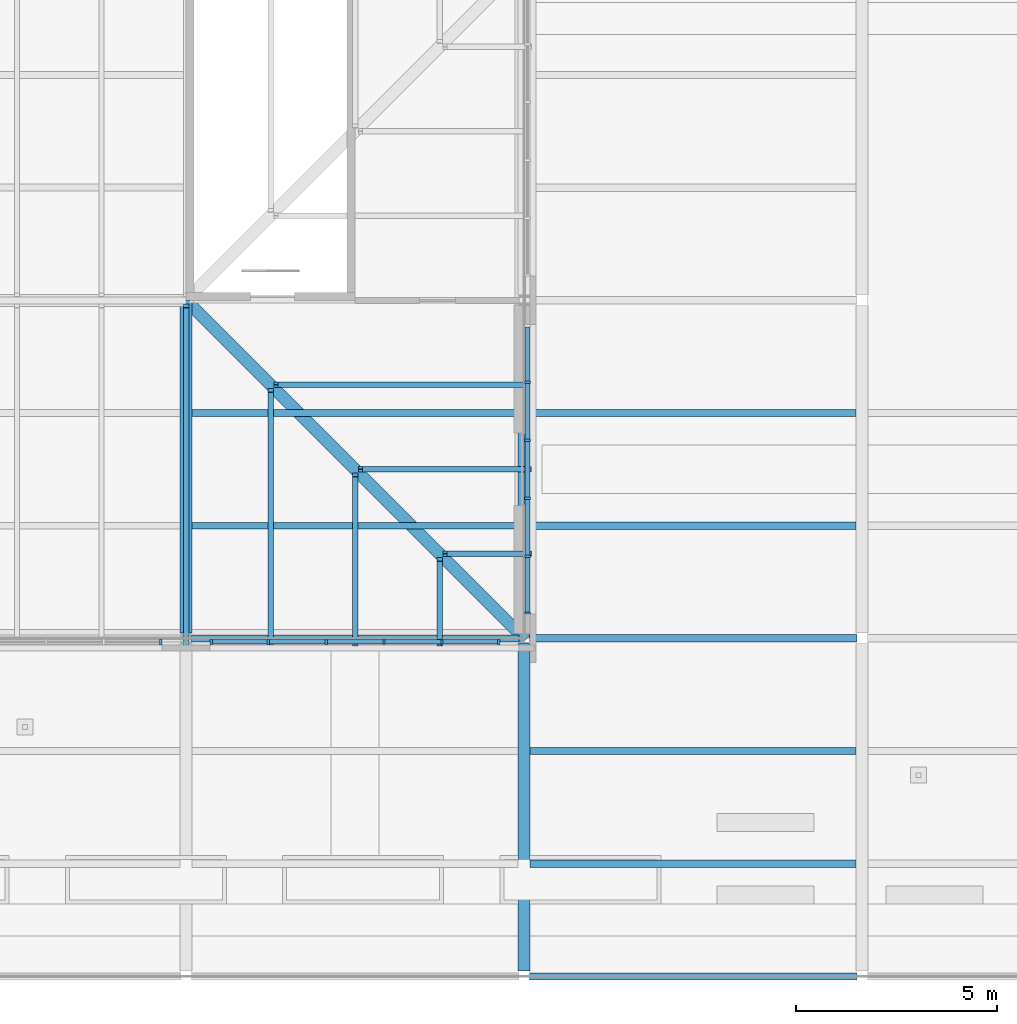
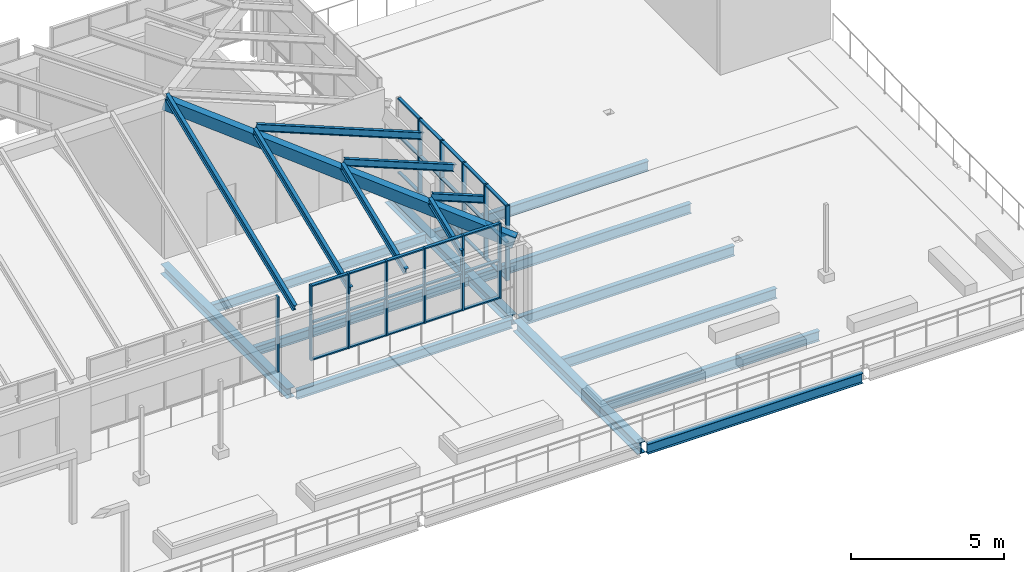
# One storey, part 9 of 126: 49 members, 13 beams, 3 elements without a shape of their own.
"""IFC4 building model written with IfcOpenShell, lengths in metres."""

from ifc_helpers import new_model, si_unit, direction, frame, origin, origin_2d, place, context, subcontext, project, spatial, polyline, rectangle, i_section, outline, extrude, material, material_profile, profile_set, type_object, element, aggregate, save


model = new_model("IFC4")

# Units and contexts
model_context = context("Model", 3, precision=1e-05, world=origin(), true_north=direction((0.0, 1.0)))
body_context = subcontext(model_context, "Body", "Model", "MODEL_VIEW")
ifc_project = project(units=[si_unit("LENGTHUNIT", "METRE"), si_unit("AREAUNIT", "SQUARE_METRE"), si_unit("VOLUMEUNIT", "CUBIC_METRE"), si_unit("PLANEANGLEUNIT", "RADIAN"), si_unit("MASSUNIT", "GRAM", prefix="KILO")], contexts=[model_context])

# Site, building, storey
site_placement = place(None, origin())
site = spatial("IfcSite", under=ifc_project, at=site_placement, CompositionType="ELEMENT")
building_placement = place(site_placement, origin())
building = spatial("IfcBuilding", under=site, at=building_placement, Name="Sava Quay Ferry Terminal", CompositionType="ELEMENT")
storey_placement = place(building_placement, frame((0.0, 0.0, 15.0)))
storey = spatial("IfcBuildingStorey", under=building, at=storey_placement, Name="L03", CompositionType="ELEMENT", Elevation=15.0)

# Beams
ifc_material_1 = material(Name="Steel S355", Category="steel")
ifc_material_profile_1 = material_profile(ifc_material_1, i_section(OverallWidth=0.169921875, OverallDepth=0.360107421875, WebThickness=0.008056640625, FlangeThickness=0.0126953125, at=origin_2d()), Name="IPE 360")
ifc_profile_set_1 = profile_set([ifc_material_profile_1], Name="Steel S355")
beam_type_1 = type_object("IfcBeamType", Name="Beam IPE 360", PredefinedType="BEAM", material=ifc_profile_set_1)
beam_1_placement = place(storey_placement, frame((16.929931640625, 33.60009765625, -0.330078125), z_axis=(1.0, 0.0, 0.0), x_axis=(0.0, 1.0, 0.0)))
element("IfcBeam", 1, at=beam_1_placement, inside=storey, type_object=beam_type_1, Name="Beam L03", PredefinedType="BEAM", context=body_context, shape_type="SweptSolid", body=[
    extrude(i_section(OverallWidth=0.169921875, OverallDepth=0.360107421875, WebThickness=0.008056640625, FlangeThickness=0.0126953125, at=origin_2d()), origin(), (0.0, 0.0, 1.0), 8.14013671875),
])
for number, where, z_axis, x_axis, name in (
    (2, (16.949951171875, 36.39990234375, -0.31005859375), (1.0, 0.0, 0.0), (0.0, 1.0, 0.0), "Secondary beam L03"),
    (3, (16.949951171875, 39.199951171875, -0.31005859375), (1.0, 0.0, 0.0), (0.0, 1.0, 0.0), "Secondary beam L03"),
):
    element("IfcBeam", number, at=place(storey_placement, frame(where, z_axis=z_axis, x_axis=x_axis)), inside=storey, type_object=beam_type_1, Name=name, PredefinedType="BEAM", context=body_context, shape_type="SweptSolid", body=[
        extrude(i_section(OverallWidth=0.169921875, OverallDepth=0.360107421875, WebThickness=0.008056640625, FlangeThickness=0.0126953125, at=origin_2d()), origin(), (0.0, 0.0, 1.0), 8.10009765625),
    ])
ifc_material_2 = material(Name="Steel S355", Category="steel")
ifc_material_profile_2 = material_profile(ifc_material_2, i_section(OverallWidth=0.179931640625, OverallDepth=0.39990234375, WebThickness=0.008544921875, FlangeThickness=0.013427734375, at=origin_2d()), Name="IPE 400")
ifc_profile_set_2 = profile_set([ifc_material_profile_2], Name="Steel S355")
beam_type_2 = type_object("IfcBeamType", Name="Beam IPE 400", PredefinedType="BEAM", material=ifc_profile_set_2)
for number, where, z_axis, x_axis, name in (
    (4, (25.330078125, 25.199951171875, -0.35009765625), (1.0, 0.0, 0.0), (0.0, 1.0, 0.0), "Beam L03"),
    (5, (25.330078125, 33.60009765625, -0.35009765625), (1.0, 0.0, 0.0), (0.0, 1.0, 0.0), "Beam L03"),
):
    element("IfcBeam", number, at=place(storey_placement, frame(where, z_axis=z_axis, x_axis=x_axis)), inside=storey, type_object=beam_type_2, Name=name, PredefinedType="BEAM", context=body_context, shape_type="SweptSolid", body=[
        extrude(i_section(OverallWidth=0.179931640625, OverallDepth=0.39990234375, WebThickness=0.008544921875, FlangeThickness=0.013427734375, at=origin_2d()), origin(), (0.0, 0.0, 1.0), 8.139892578125),
    ])
for number, where, z_axis, x_axis, name in (
    (6, (25.35009765625, 28.0, -0.35009765625), (1.0, 0.0, 0.0), (0.0, 1.0, 0.0), "Secondary beam L03"),
    (7, (25.35009765625, 30.800048828125, -0.35009765625), (1.0, 0.0, 0.0), (0.0, 1.0, 0.0), "Secondary beam L03"),
    (8, (25.35009765625, 36.39990234375, -0.35009765625), (1.0, 0.0, 0.0), (0.0, 1.0, 0.0), "Secondary beam L03"),
    (9, (25.35009765625, 39.199951171875, -0.35009765625), (1.0, 0.0, 0.0), (0.0, 1.0, 0.0), "Secondary beam L03"),
):
    element("IfcBeam", number, at=place(storey_placement, frame(where, z_axis=z_axis, x_axis=x_axis)), inside=storey, type_object=beam_type_2, Name=name, PredefinedType="BEAM", context=body_context, shape_type="SweptSolid", body=[
        extrude(i_section(OverallWidth=0.179931640625, OverallDepth=0.39990234375, WebThickness=0.008544921875, FlangeThickness=0.013427734375, at=origin_2d()), origin(), (0.0, 0.0, 1.0), 8.099853515625),
    ])
ifc_material_3 = material(Name="Steel S355", Category="steel")
ifc_material_profile_3 = material_profile(ifc_material_3, outline(polyline([(-0.14990234375, -0.228515625), (0.14990234375, -0.228515625), (0.14990234375, 0.228515625), (-0.14990234375, 0.228515625), (-0.14990234375, -0.228515625)]), holes=[polyline([(-0.1298828125, -0.20849609375), (-0.1298828125, 0.20849609375), (0.1298828125, 0.20849609375), (0.1298828125, -0.20849609375), (-0.1298828125, -0.20849609375)])]), Name="Box 457x300x20 built-up")
ifc_profile_set_3 = profile_set([ifc_material_profile_3], Name="Steel S355")
beam_type_3 = type_object("IfcBeamType", Name="Fascia beam Box 457x300x20", PredefinedType="BEAM", material=ifc_profile_set_3)
beam_2_placement = place(storey_placement, frame((25.199951171875, 33.60009765625, 2.89990234375), z_axis=(-0.679904249952, 0.679904249952, 0.274700603923), x_axis=(-0.707106781187, -0.707106781187, 0.0)))
element("IfcBeam", 10, at=beam_2_placement, inside=storey, type_object=beam_type_3, Name="West pavilion hip fascia beam HI3", PredefinedType="BEAM", context=body_context, shape_type="SweptSolid", body=[
    extrude(outline(polyline([(-0.14990234375, -0.228515625), (0.14990234375, -0.228515625), (0.14990234375, 0.228515625), (-0.14990234375, 0.228515625), (-0.14990234375, -0.228515625)]), holes=[polyline([(-0.1298828125, -0.20849609375), (-0.1298828125, 0.20849609375), (0.1298828125, 0.20849609375), (0.1298828125, -0.20849609375), (-0.1298828125, -0.20849609375)])]), origin(), (0.0, 0.0, 1.0), 12.3544921875),
])
ifc_material_4 = material(Name="Steel S355", Category="steel")
ifc_material_profile_4 = material_profile(ifc_material_4, i_section(OverallWidth=0.300048828125, OverallDepth=0.389892578125, WebThickness=0.010986328125, FlangeThickness=0.01904296875, at=origin_2d()), Name="HE 400 A")
ifc_profile_set_4 = profile_set([ifc_material_profile_4], Name="Steel S355")
beam_type_4 = type_object("IfcBeamType", Name="Girder HE 400 A", PredefinedType="BEAM", material=ifc_profile_set_4)
beam_3_placement = place(storey_placement, frame((16.800048828125, 33.72998046875, -0.324951171875), z_axis=(0.0, 1.0, 0.0), x_axis=(-1.0, 0.0, 0.0)))
element("IfcBeam", 11, at=beam_3_placement, inside=storey, type_object=beam_type_4, Name="Girder L03", PredefinedType="BEAM", context=body_context, shape_type="SweptSolid", body=[
    extrude(i_section(OverallWidth=0.300048828125, OverallDepth=0.389892578125, WebThickness=0.010986328125, FlangeThickness=0.01904296875, at=origin_2d()), origin(), (0.0, 0.0, 1.0), 8.27001953125),
])
beam_4_placement = place(storey_placement, frame((25.199951171875, 33.72998046875, -0.344970703125), z_axis=(0.0, 1.0, 0.0), x_axis=(-1.0, 0.0, 0.0)))
element("IfcBeam", 12, at=beam_4_placement, inside=storey, type_object=beam_type_4, Name="Girder L03", PredefinedType="BEAM", context=body_context, shape_type="SweptSolid", body=[
    extrude(i_section(OverallWidth=0.300048828125, OverallDepth=0.389892578125, WebThickness=0.010986328125, FlangeThickness=0.01904296875, at=origin_2d()), origin(), (0.0, 0.0, 1.0), 8.14013671875),
])
ifc_material_5 = material(Name="Steel S355", Category="steel")
ifc_material_profile_5 = material_profile(ifc_material_5, i_section(OverallWidth=0.300048828125, OverallDepth=0.449951171875, WebThickness=0.013916015625, FlangeThickness=0.02587890625, at=origin_2d()), Name="HE 450 B")
ifc_profile_set_5 = profile_set([ifc_material_profile_5], Name="Steel S355")
beam_type_5 = type_object("IfcBeamType", Name="Girder HE 450 B", PredefinedType="BEAM", material=ifc_profile_set_5)
beam_5_placement = place(storey_placement, frame((25.199951171875, 25.330078125, -0.375), z_axis=(0.0, 1.0, 0.0), x_axis=(-1.0, 0.0, 0.0)))
element("IfcBeam", 13, at=beam_5_placement, inside=storey, type_object=beam_type_5, Name="Girder L03", PredefinedType="BEAM", context=body_context, shape_type="SweptSolid", body=[
    extrude(i_section(OverallWidth=0.300048828125, OverallDepth=0.449951171875, WebThickness=0.013916015625, FlangeThickness=0.02587890625, at=origin_2d()), origin(), (0.0, 0.0, 1.0), 8.139892578125),
])

# Curtain wall, members
ifc_material_6 = material(Name="Aluminium and glass curtain wall, double low-e glazed", Category="aluminium")
curtain_wall_type = type_object("IfcCurtainWallType", Name="Curtain wall CW-F flank", PredefinedType="NOTDEFINED", material=ifc_material_6)
curtain_wall_1_placement = place(storey_placement, origin())
curtain_wall_1 = element("IfcCurtainWall", 14, at=curtain_wall_1_placement, inside=storey, type_object=curtain_wall_type, Name="Curtain wall W-PAV-E L03 bay 1", PredefinedType="NOTDEFINED")
ifc_material_7 = material(Name="Aluminium EN AW-6063 T6", Category="aluminium")
ifc_material_profile_6 = material_profile(ifc_material_7, rectangle(XDim=0.14990234375, YDim=0.06005859375, at=origin_2d()), Name="Mullion 60x150 aluminium")
ifc_profile_set_6 = profile_set([ifc_material_profile_6], Name="Aluminium EN AW-6063 T6")
member_type_1 = type_object("IfcMemberType", Name="Mullion 60x150 aluminium", PredefinedType="MULLION", material=ifc_profile_set_6)
member_1_placement = place(storey_placement, frame((25.284912109375, 34.22998046875, 0.89990234375), z_axis=(0.0, 0.0, 1.0), x_axis=(-1.0, 0.0, 0.0)))
member_1 = element("IfcMember", 15, at=member_1_placement, type_object=member_type_1, Name="CW121 mullion 1", PredefinedType="MULLION", context=body_context, shape_type="SweptSolid", body=[
    extrude(rectangle(XDim=0.14990234375, YDim=0.06005859375, at=origin_2d()), origin(), (0.0, 0.0, 1.0), 3.0),
])
member_2_placement = place(storey_placement, frame((25.284912109375, 35.639892578125, 0.89990234375), z_axis=(0.0, 0.0, 1.0), x_axis=(-1.0, 0.0, 0.0)))
member_2 = element("IfcMember", 16, at=member_2_placement, type_object=member_type_1, Name="CW121 mullion 2", PredefinedType="MULLION", context=body_context, shape_type="SweptSolid", body=[
    extrude(rectangle(XDim=0.14990234375, YDim=0.06005859375, at=origin_2d()), origin(), (0.0, 0.0, 1.0), 3.0),
])
member_3_placement = place(storey_placement, frame((25.284912109375, 37.080078125, 0.89990234375), z_axis=(0.0, 0.0, 1.0), x_axis=(-1.0, 0.0, 0.0)))
member_3 = element("IfcMember", 17, at=member_3_placement, type_object=member_type_1, Name="CW121 mullion 3", PredefinedType="MULLION", context=body_context, shape_type="SweptSolid", body=[
    extrude(rectangle(XDim=0.14990234375, YDim=0.06005859375, at=origin_2d()), origin(), (0.0, 0.0, 1.0), 3.0),
])
member_4_placement = place(storey_placement, frame((25.284912109375, 38.52001953125, 0.89990234375), z_axis=(0.0, 0.0, 1.0), x_axis=(-1.0, 0.0, 0.0)))
member_4 = element("IfcMember", 18, at=member_4_placement, type_object=member_type_1, Name="CW121 mullion 4", PredefinedType="MULLION", context=body_context, shape_type="SweptSolid", body=[
    extrude(rectangle(XDim=0.14990234375, YDim=0.06005859375, at=origin_2d()), origin(), (0.0, 0.0, 1.0), 3.0),
])
member_5_placement = place(storey_placement, frame((25.284912109375, 39.9599609375, 0.89990234375), z_axis=(0.0, 0.0, 1.0), x_axis=(-1.0, 0.0, 0.0)))
member_5 = element("IfcMember", 19, at=member_5_placement, type_object=member_type_1, Name="CW121 mullion 5", PredefinedType="MULLION", context=body_context, shape_type="SweptSolid", body=[
    extrude(rectangle(XDim=0.14990234375, YDim=0.06005859375, at=origin_2d()), origin(), (0.0, 0.0, 1.0), 3.0),
])

# Curtain wall, member
curtain_wall_2_placement = place(storey_placement, origin())
curtain_wall_2 = element("IfcCurtainWall", 20, at=curtain_wall_2_placement, inside=storey, type_object=curtain_wall_type, Name="Curtain wall W-PAV-S L03 bay 2", PredefinedType="NOTDEFINED")
member_6_placement = place(storey_placement, frame((16.169921875, 33.514892578125, 0.89990234375), z_axis=(0.0, 0.0, 1.0), x_axis=(0.0, 1.0, 0.0)))
member_6 = element("IfcMember", 21, at=member_6_placement, type_object=member_type_1, Name="CW127 mullion 6", PredefinedType="MULLION", context=body_context, shape_type="SweptSolid", body=[
    extrude(rectangle(XDim=0.14990234375, YDim=0.06005859375, at=origin_2d()), origin(), (0.0, 0.0, 1.0), 3.0),
])
aggregate(curtain_wall_2, [member_6])

# Curtain wall, members
curtain_wall_3_placement = place(storey_placement, origin())
curtain_wall_3 = element("IfcCurtainWall", 22, at=curtain_wall_3_placement, inside=storey, type_object=curtain_wall_type, Name="Curtain wall W-PAV-S L03 bay 3", PredefinedType="NOTDEFINED")
member_7_placement = place(storey_placement, frame((17.429931640625, 33.514892578125, 0.89990234375), z_axis=(0.0, 0.0, 1.0), x_axis=(0.0, 1.0, 0.0)))
member_7 = element("IfcMember", 23, at=member_7_placement, type_object=member_type_1, Name="CW128 mullion 1", PredefinedType="MULLION", context=body_context, shape_type="SweptSolid", body=[
    extrude(rectangle(XDim=0.14990234375, YDim=0.06005859375, at=origin_2d()), origin(), (0.0, 0.0, 1.0), 3.0),
])
member_8_placement = place(storey_placement, frame((18.840087890625, 33.514892578125, 0.89990234375), z_axis=(0.0, 0.0, 1.0), x_axis=(0.0, 1.0, 0.0)))
member_8 = element("IfcMember", 24, at=member_8_placement, type_object=member_type_1, Name="CW128 mullion 2", PredefinedType="MULLION", context=body_context, shape_type="SweptSolid", body=[
    extrude(rectangle(XDim=0.14990234375, YDim=0.06005859375, at=origin_2d()), origin(), (0.0, 0.0, 1.0), 3.0),
])
member_9_placement = place(storey_placement, frame((20.280029296875, 33.514892578125, 0.89990234375), z_axis=(0.0, 0.0, 1.0), x_axis=(0.0, 1.0, 0.0)))
member_9 = element("IfcMember", 25, at=member_9_placement, type_object=member_type_1, Name="CW128 mullion 3", PredefinedType="MULLION", context=body_context, shape_type="SweptSolid", body=[
    extrude(rectangle(XDim=0.14990234375, YDim=0.06005859375, at=origin_2d()), origin(), (0.0, 0.0, 1.0), 3.0),
])
member_10_placement = place(storey_placement, frame((21.719970703125, 33.514892578125, 0.89990234375), z_axis=(0.0, 0.0, 1.0), x_axis=(0.0, 1.0, 0.0)))
member_10 = element("IfcMember", 26, at=member_10_placement, type_object=member_type_1, Name="CW128 mullion 4", PredefinedType="MULLION", context=body_context, shape_type="SweptSolid", body=[
    extrude(rectangle(XDim=0.14990234375, YDim=0.06005859375, at=origin_2d()), origin(), (0.0, 0.0, 1.0), 3.0),
])
member_11_placement = place(storey_placement, frame((23.159912109375, 33.514892578125, 0.89990234375), z_axis=(0.0, 0.0, 1.0), x_axis=(0.0, 1.0, 0.0)))
member_11 = element("IfcMember", 27, at=member_11_placement, type_object=member_type_1, Name="CW128 mullion 5", PredefinedType="MULLION", context=body_context, shape_type="SweptSolid", body=[
    extrude(rectangle(XDim=0.14990234375, YDim=0.06005859375, at=origin_2d()), origin(), (0.0, 0.0, 1.0), 3.0),
])
member_12_placement = place(storey_placement, frame((24.570068359375, 33.514892578125, 0.89990234375), z_axis=(0.0, 0.0, 1.0), x_axis=(0.0, 1.0, 0.0)))
member_12 = element("IfcMember", 28, at=member_12_placement, type_object=member_type_1, Name="CW128 mullion 6", PredefinedType="MULLION", context=body_context, shape_type="SweptSolid", body=[
    extrude(rectangle(XDim=0.14990234375, YDim=0.06005859375, at=origin_2d()), origin(), (0.0, 0.0, 1.0), 3.0),
])

# Members
ifc_material_8 = material(Name="Steel S355", Category="steel")
ifc_material_profile_7 = material_profile(ifc_material_8, i_section(OverallWidth=0.135009765625, OverallDepth=0.27001953125, WebThickness=0.006591796875, FlangeThickness=0.01025390625, at=origin_2d()), Name="IPE 270")
ifc_profile_set_7 = profile_set([ifc_material_profile_7], Name="Steel S355")
member_type_2 = type_object("IfcMemberType", Name="Roof rafter IPE 270", PredefinedType="RAFTER", material=ifc_profile_set_7)
member_13_placement = place(storey_placement, frame((16.800048828125, 33.4638671875, 3.237060546875), z_axis=(0.0, 0.927183164982, 0.374608300192), x_axis=(-1.0, 0.0, 0.0)))
element("IfcMember", 29, at=member_13_placement, inside=storey, type_object=member_type_2, Name="West pavilion rafter RA8", PredefinedType="RAFTER", context=body_context, shape_type="SweptSolid", body=[
    extrude(i_section(OverallWidth=0.135009765625, OverallDepth=0.27001953125, WebThickness=0.006591796875, FlangeThickness=0.01025390625, at=origin_2d()), origin(), (0.0, 0.0, 1.0), 9.0595703125),
])
member_14_placement = place(storey_placement, frame((18.89990234375, 33.4638671875, 3.237060546875), z_axis=(0.0, 0.927182566132, 0.374609782387), x_axis=(-1.0, 0.0, 0.0)))
element("IfcMember", 30, at=member_14_placement, inside=storey, type_object=member_type_2, Name="West pavilion rafter RA9", PredefinedType="RAFTER", context=body_context, shape_type="SweptSolid", body=[
    extrude(i_section(OverallWidth=0.135009765625, OverallDepth=0.27001953125, WebThickness=0.006591796875, FlangeThickness=0.01025390625, at=origin_2d()), origin(), (0.0, 0.0, 1.0), 6.794921875),
])
member_15_placement = place(storey_placement, frame((21.0, 33.4638671875, 3.237060546875), z_axis=(0.0, 0.927192524754, 0.374585133235), x_axis=(-1.0, 0.0, 0.0)))
element("IfcMember", 31, at=member_15_placement, inside=storey, type_object=member_type_2, Name="West pavilion rafter RA10", PredefinedType="RAFTER", context=body_context, shape_type="SweptSolid", body=[
    extrude(i_section(OverallWidth=0.135009765625, OverallDepth=0.27001953125, WebThickness=0.006591796875, FlangeThickness=0.01025390625, at=origin_2d()), origin(), (0.0, 0.0, 1.0), 4.52978515625),
])
member_16_placement = place(storey_placement, frame((23.10009765625, 33.4638671875, 3.237060546875), z_axis=(0.0, 0.927184961662, 0.374603853247), x_axis=(-1.0, 0.0, 0.0)))
element("IfcMember", 32, at=member_16_placement, inside=storey, type_object=member_type_2, Name="West pavilion rafter RA11", PredefinedType="RAFTER", context=body_context, shape_type="SweptSolid", body=[
    extrude(i_section(OverallWidth=0.135009765625, OverallDepth=0.27001953125, WebThickness=0.006591796875, FlangeThickness=0.01025390625, at=origin_2d()), origin(), (0.0, 0.0, 1.0), 2.2646484375),
])
member_17_placement = place(storey_placement, frame((25.336181640625, 35.699951171875, 3.237060546875), z_axis=(-0.927200086712, 0.0, 0.374566414941), x_axis=(0.0, -1.0, 0.0)))
element("IfcMember", 33, at=member_17_placement, inside=storey, type_object=member_type_2, Name="West pavilion rafter RA12", PredefinedType="RAFTER", context=body_context, shape_type="SweptSolid", body=[
    extrude(i_section(OverallWidth=0.135009765625, OverallDepth=0.27001953125, WebThickness=0.006591796875, FlangeThickness=0.01025390625, at=origin_2d()), origin(), (0.0, 0.0, 1.0), 2.264892578125),
])
member_18_placement = place(storey_placement, frame((25.336181640625, 37.800048828125, 3.237060546875), z_axis=(-0.927192524754, 0.0, 0.374585133235), x_axis=(0.0, -1.0, 0.0)))
element("IfcMember", 34, at=member_18_placement, inside=storey, type_object=member_type_2, Name="West pavilion rafter RA13", PredefinedType="RAFTER", context=body_context, shape_type="SweptSolid", body=[
    extrude(i_section(OverallWidth=0.135009765625, OverallDepth=0.27001953125, WebThickness=0.006591796875, FlangeThickness=0.01025390625, at=origin_2d()), origin(), (0.0, 0.0, 1.0), 4.52978515625),
])
member_19_placement = place(storey_placement, frame((25.336181640625, 39.89990234375, 3.237060546875), z_axis=(-0.927182566132, 0.0, 0.374609782387), x_axis=(0.0, -1.0, 0.0)))
element("IfcMember", 35, at=member_19_placement, inside=storey, type_object=member_type_2, Name="West pavilion rafter RA14", PredefinedType="RAFTER", context=body_context, shape_type="SweptSolid", body=[
    extrude(i_section(OverallWidth=0.135009765625, OverallDepth=0.27001953125, WebThickness=0.006591796875, FlangeThickness=0.01025390625, at=origin_2d()), origin(), (0.0, 0.0, 1.0), 6.794921875),
])

# Member
ifc_material_9 = material(Name="Aluminium EN AW-6063 T6", Category="aluminium")
ifc_material_profile_8 = material_profile(ifc_material_9, rectangle(XDim=0.1201171875, YDim=0.050048828125, at=origin_2d()), Name="Transom 50x120 aluminium")
ifc_profile_set_8 = profile_set([ifc_material_profile_8], Name="Aluminium EN AW-6063 T6")
member_type_3 = type_object("IfcMemberType", Name="Transom 50x120 aluminium", PredefinedType="USERDEFINED", material=ifc_profile_set_8)
member_20_placement = place(storey_placement, frame((25.284912109375, 34.260009765625, 0.925048828125), z_axis=(0.0, 1.0, 0.0), x_axis=(-1.0, 0.0, 0.0)))
member_20 = element("IfcMember", 36, at=member_20_placement, type_object=member_type_3, Name="CW121 transom 1.1", ObjectType="TRANSOM", PredefinedType="USERDEFINED", context=body_context, shape_type="SweptSolid", body=[
    extrude(rectangle(XDim=0.1201171875, YDim=0.050048828125, at=origin_2d()), origin(), (0.0, 0.0, 1.0), 1.35009765625),
])

member_21_placement = place(storey_placement, frame((25.284912109375, 34.260009765625, 2.39990234375), z_axis=(0.0, 1.0, 0.0), x_axis=(-1.0, 0.0, 0.0)))
member_21 = element("IfcMember", 37, at=member_21_placement, type_object=member_type_3, Name="CW121 transom 1.2", ObjectType="TRANSOM", PredefinedType="USERDEFINED", context=body_context, shape_type="SweptSolid", body=[
    extrude(rectangle(XDim=0.1201171875, YDim=0.050048828125, at=origin_2d()), origin(), (0.0, 0.0, 1.0), 1.35009765625),
])

member_22_placement = place(storey_placement, frame((25.284912109375, 34.260009765625, 3.875), z_axis=(0.0, 1.0, 0.0), x_axis=(-1.0, 0.0, 0.0)))
member_22 = element("IfcMember", 38, at=member_22_placement, type_object=member_type_3, Name="CW121 transom 1.3", ObjectType="TRANSOM", PredefinedType="USERDEFINED", context=body_context, shape_type="SweptSolid", body=[
    extrude(rectangle(XDim=0.1201171875, YDim=0.050048828125, at=origin_2d()), origin(), (0.0, 0.0, 1.0), 1.35009765625),
])

member_23_placement = place(storey_placement, frame((25.284912109375, 35.669921875, 0.925048828125), z_axis=(0.0, 1.0, 0.0), x_axis=(-1.0, 0.0, 0.0)))
member_23 = element("IfcMember", 39, at=member_23_placement, type_object=member_type_3, Name="CW121 transom 2.1", ObjectType="TRANSOM", PredefinedType="USERDEFINED", context=body_context, shape_type="SweptSolid", body=[
    extrude(rectangle(XDim=0.1201171875, YDim=0.050048828125, at=origin_2d()), origin(), (0.0, 0.0, 1.0), 1.380126953125),
])

member_24_placement = place(storey_placement, frame((25.284912109375, 35.669921875, 2.39990234375), z_axis=(0.0, 1.0, 0.0), x_axis=(-1.0, 0.0, 0.0)))
member_24 = element("IfcMember", 40, at=member_24_placement, type_object=member_type_3, Name="CW121 transom 2.2", ObjectType="TRANSOM", PredefinedType="USERDEFINED", context=body_context, shape_type="SweptSolid", body=[
    extrude(rectangle(XDim=0.1201171875, YDim=0.050048828125, at=origin_2d()), origin(), (0.0, 0.0, 1.0), 1.380126953125),
])

member_25_placement = place(storey_placement, frame((25.284912109375, 35.669921875, 3.875), z_axis=(0.0, 1.0, 0.0), x_axis=(-1.0, 0.0, 0.0)))
member_25 = element("IfcMember", 41, at=member_25_placement, type_object=member_type_3, Name="CW121 transom 2.3", ObjectType="TRANSOM", PredefinedType="USERDEFINED", context=body_context, shape_type="SweptSolid", body=[
    extrude(rectangle(XDim=0.1201171875, YDim=0.050048828125, at=origin_2d()), origin(), (0.0, 0.0, 1.0), 1.380126953125),
])

member_26_placement = place(storey_placement, frame((25.284912109375, 37.110107421875, 0.925048828125), z_axis=(0.0, 1.0, 0.0), x_axis=(-1.0, 0.0, 0.0)))
member_26 = element("IfcMember", 42, at=member_26_placement, type_object=member_type_3, Name="CW121 transom 3.1", ObjectType="TRANSOM", PredefinedType="USERDEFINED", context=body_context, shape_type="SweptSolid", body=[
    extrude(rectangle(XDim=0.1201171875, YDim=0.050048828125, at=origin_2d()), origin(), (0.0, 0.0, 1.0), 1.3798828125),
])

member_27_placement = place(storey_placement, frame((25.284912109375, 37.110107421875, 2.39990234375), z_axis=(0.0, 1.0, 0.0), x_axis=(-1.0, 0.0, 0.0)))
member_27 = element("IfcMember", 43, at=member_27_placement, type_object=member_type_3, Name="CW121 transom 3.2", ObjectType="TRANSOM", PredefinedType="USERDEFINED", context=body_context, shape_type="SweptSolid", body=[
    extrude(rectangle(XDim=0.1201171875, YDim=0.050048828125, at=origin_2d()), origin(), (0.0, 0.0, 1.0), 1.3798828125),
])

member_28_placement = place(storey_placement, frame((25.284912109375, 37.110107421875, 3.875), z_axis=(0.0, 1.0, 0.0), x_axis=(-1.0, 0.0, 0.0)))
member_28 = element("IfcMember", 44, at=member_28_placement, type_object=member_type_3, Name="CW121 transom 3.3", ObjectType="TRANSOM", PredefinedType="USERDEFINED", context=body_context, shape_type="SweptSolid", body=[
    extrude(rectangle(XDim=0.1201171875, YDim=0.050048828125, at=origin_2d()), origin(), (0.0, 0.0, 1.0), 1.3798828125),
])

member_29_placement = place(storey_placement, frame((25.284912109375, 38.550048828125, 0.925048828125), z_axis=(0.0, 1.0, 0.0), x_axis=(-1.0, 0.0, 0.0)))
member_29 = element("IfcMember", 45, at=member_29_placement, type_object=member_type_3, Name="CW121 transom 4.1", ObjectType="TRANSOM", PredefinedType="USERDEFINED", context=body_context, shape_type="SweptSolid", body=[
    extrude(rectangle(XDim=0.1201171875, YDim=0.050048828125, at=origin_2d()), origin(), (0.0, 0.0, 1.0), 1.3798828125),
])

member_30_placement = place(storey_placement, frame((25.284912109375, 38.550048828125, 2.39990234375), z_axis=(0.0, 1.0, 0.0), x_axis=(-1.0, 0.0, 0.0)))
member_30 = element("IfcMember", 46, at=member_30_placement, type_object=member_type_3, Name="CW121 transom 4.2", ObjectType="TRANSOM", PredefinedType="USERDEFINED", context=body_context, shape_type="SweptSolid", body=[
    extrude(rectangle(XDim=0.1201171875, YDim=0.050048828125, at=origin_2d()), origin(), (0.0, 0.0, 1.0), 1.3798828125),
])

member_31_placement = place(storey_placement, frame((25.284912109375, 38.550048828125, 3.875), z_axis=(0.0, 1.0, 0.0), x_axis=(-1.0, 0.0, 0.0)))
member_31 = element("IfcMember", 47, at=member_31_placement, type_object=member_type_3, Name="CW121 transom 4.3", ObjectType="TRANSOM", PredefinedType="USERDEFINED", context=body_context, shape_type="SweptSolid", body=[
    extrude(rectangle(XDim=0.1201171875, YDim=0.050048828125, at=origin_2d()), origin(), (0.0, 0.0, 1.0), 1.3798828125),
])

member_32_placement = place(storey_placement, frame((25.284912109375, 39.989990234375, 0.925048828125), z_axis=(0.0, 1.0, 0.0), x_axis=(-1.0, 0.0, 0.0)))
member_32 = element("IfcMember", 48, at=member_32_placement, type_object=member_type_3, Name="CW121 transom 5.1", ObjectType="TRANSOM", PredefinedType="USERDEFINED", context=body_context, shape_type="SweptSolid", body=[
    extrude(rectangle(XDim=0.1201171875, YDim=0.050048828125, at=origin_2d()), origin(), (0.0, 0.0, 1.0), 1.35009765625),
])

member_33_placement = place(storey_placement, frame((25.284912109375, 39.989990234375, 2.39990234375), z_axis=(0.0, 1.0, 0.0), x_axis=(-1.0, 0.0, 0.0)))
member_33 = element("IfcMember", 49, at=member_33_placement, type_object=member_type_3, Name="CW121 transom 5.2", ObjectType="TRANSOM", PredefinedType="USERDEFINED", context=body_context, shape_type="SweptSolid", body=[
    extrude(rectangle(XDim=0.1201171875, YDim=0.050048828125, at=origin_2d()), origin(), (0.0, 0.0, 1.0), 1.35009765625),
])

member_34_placement = place(storey_placement, frame((25.284912109375, 39.989990234375, 3.875), z_axis=(0.0, 1.0, 0.0), x_axis=(-1.0, 0.0, 0.0)))
member_34 = element("IfcMember", 50, at=member_34_placement, type_object=member_type_3, Name="CW121 transom 5.3", ObjectType="TRANSOM", PredefinedType="USERDEFINED", context=body_context, shape_type="SweptSolid", body=[
    extrude(rectangle(XDim=0.1201171875, YDim=0.050048828125, at=origin_2d()), origin(), (0.0, 0.0, 1.0), 1.35009765625),
])

aggregate(curtain_wall_1, [member_1, member_2, member_3, member_4, member_5, member_20, member_21, member_22, member_23, member_24, member_25, member_26, member_27, member_28, member_29, member_30, member_31, member_32, member_33, member_34])

member_35_placement = place(storey_placement, frame((17.4599609375, 33.514892578125, 0.925048828125), z_axis=(1.0, 0.0, 0.0), x_axis=(0.0, 1.0, 0.0)))
member_35 = element("IfcMember", 51, at=member_35_placement, type_object=member_type_3, Name="CW128 transom 1.1", ObjectType="TRANSOM", PredefinedType="USERDEFINED", context=body_context, shape_type="SweptSolid", body=[
    extrude(rectangle(XDim=0.1201171875, YDim=0.050048828125, at=origin_2d()), origin(), (0.0, 0.0, 1.0), 1.35009765625),
])

member_36_placement = place(storey_placement, frame((17.4599609375, 33.514892578125, 2.39990234375), z_axis=(1.0, 0.0, 0.0), x_axis=(0.0, 1.0, 0.0)))
member_36 = element("IfcMember", 52, at=member_36_placement, type_object=member_type_3, Name="CW128 transom 1.2", ObjectType="TRANSOM", PredefinedType="USERDEFINED", context=body_context, shape_type="SweptSolid", body=[
    extrude(rectangle(XDim=0.1201171875, YDim=0.050048828125, at=origin_2d()), origin(), (0.0, 0.0, 1.0), 1.35009765625),
])

member_37_placement = place(storey_placement, frame((17.4599609375, 33.514892578125, 3.875), z_axis=(1.0, 0.0, 0.0), x_axis=(0.0, 1.0, 0.0)))
member_37 = element("IfcMember", 53, at=member_37_placement, type_object=member_type_3, Name="CW128 transom 1.3", ObjectType="TRANSOM", PredefinedType="USERDEFINED", context=body_context, shape_type="SweptSolid", body=[
    extrude(rectangle(XDim=0.1201171875, YDim=0.050048828125, at=origin_2d()), origin(), (0.0, 0.0, 1.0), 1.35009765625),
])

member_38_placement = place(storey_placement, frame((18.8701171875, 33.514892578125, 0.925048828125), z_axis=(1.0, 0.0, 0.0), x_axis=(0.0, 1.0, 0.0)))
member_38 = element("IfcMember", 54, at=member_38_placement, type_object=member_type_3, Name="CW128 transom 2.1", ObjectType="TRANSOM", PredefinedType="USERDEFINED", context=body_context, shape_type="SweptSolid", body=[
    extrude(rectangle(XDim=0.1201171875, YDim=0.050048828125, at=origin_2d()), origin(), (0.0, 0.0, 1.0), 1.3798828125),
])

member_39_placement = place(storey_placement, frame((18.8701171875, 33.514892578125, 2.39990234375), z_axis=(1.0, 0.0, 0.0), x_axis=(0.0, 1.0, 0.0)))
member_39 = element("IfcMember", 55, at=member_39_placement, type_object=member_type_3, Name="CW128 transom 2.2", ObjectType="TRANSOM", PredefinedType="USERDEFINED", context=body_context, shape_type="SweptSolid", body=[
    extrude(rectangle(XDim=0.1201171875, YDim=0.050048828125, at=origin_2d()), origin(), (0.0, 0.0, 1.0), 1.3798828125),
])

member_40_placement = place(storey_placement, frame((18.8701171875, 33.514892578125, 3.875), z_axis=(1.0, 0.0, 0.0), x_axis=(0.0, 1.0, 0.0)))
member_40 = element("IfcMember", 56, at=member_40_placement, type_object=member_type_3, Name="CW128 transom 2.3", ObjectType="TRANSOM", PredefinedType="USERDEFINED", context=body_context, shape_type="SweptSolid", body=[
    extrude(rectangle(XDim=0.1201171875, YDim=0.050048828125, at=origin_2d()), origin(), (0.0, 0.0, 1.0), 1.3798828125),
])

member_41_placement = place(storey_placement, frame((20.31005859375, 33.514892578125, 0.925048828125), z_axis=(1.0, 0.0, 0.0), x_axis=(0.0, 1.0, 0.0)))
member_41 = element("IfcMember", 57, at=member_41_placement, type_object=member_type_3, Name="CW128 transom 3.1", ObjectType="TRANSOM", PredefinedType="USERDEFINED", context=body_context, shape_type="SweptSolid", body=[
    extrude(rectangle(XDim=0.1201171875, YDim=0.050048828125, at=origin_2d()), origin(), (0.0, 0.0, 1.0), 1.3798828125),
])

member_42_placement = place(storey_placement, frame((20.31005859375, 33.514892578125, 2.39990234375), z_axis=(1.0, 0.0, 0.0), x_axis=(0.0, 1.0, 0.0)))
member_42 = element("IfcMember", 58, at=member_42_placement, type_object=member_type_3, Name="CW128 transom 3.2", ObjectType="TRANSOM", PredefinedType="USERDEFINED", context=body_context, shape_type="SweptSolid", body=[
    extrude(rectangle(XDim=0.1201171875, YDim=0.050048828125, at=origin_2d()), origin(), (0.0, 0.0, 1.0), 1.3798828125),
])

member_43_placement = place(storey_placement, frame((20.31005859375, 33.514892578125, 3.875), z_axis=(1.0, 0.0, 0.0), x_axis=(0.0, 1.0, 0.0)))
member_43 = element("IfcMember", 59, at=member_43_placement, type_object=member_type_3, Name="CW128 transom 3.3", ObjectType="TRANSOM", PredefinedType="USERDEFINED", context=body_context, shape_type="SweptSolid", body=[
    extrude(rectangle(XDim=0.1201171875, YDim=0.050048828125, at=origin_2d()), origin(), (0.0, 0.0, 1.0), 1.3798828125),
])

member_44_placement = place(storey_placement, frame((21.75, 33.514892578125, 0.925048828125), z_axis=(1.0, 0.0, 0.0), x_axis=(0.0, 1.0, 0.0)))
member_44 = element("IfcMember", 60, at=member_44_placement, type_object=member_type_3, Name="CW128 transom 4.1", ObjectType="TRANSOM", PredefinedType="USERDEFINED", context=body_context, shape_type="SweptSolid", body=[
    extrude(rectangle(XDim=0.1201171875, YDim=0.050048828125, at=origin_2d()), origin(), (0.0, 0.0, 1.0), 1.3798828125),
])

member_45_placement = place(storey_placement, frame((21.75, 33.514892578125, 2.39990234375), z_axis=(1.0, 0.0, 0.0), x_axis=(0.0, 1.0, 0.0)))
member_45 = element("IfcMember", 61, at=member_45_placement, type_object=member_type_3, Name="CW128 transom 4.2", ObjectType="TRANSOM", PredefinedType="USERDEFINED", context=body_context, shape_type="SweptSolid", body=[
    extrude(rectangle(XDim=0.1201171875, YDim=0.050048828125, at=origin_2d()), origin(), (0.0, 0.0, 1.0), 1.3798828125),
])

member_46_placement = place(storey_placement, frame((21.75, 33.514892578125, 3.875), z_axis=(1.0, 0.0, 0.0), x_axis=(0.0, 1.0, 0.0)))
member_46 = element("IfcMember", 62, at=member_46_placement, type_object=member_type_3, Name="CW128 transom 4.3", ObjectType="TRANSOM", PredefinedType="USERDEFINED", context=body_context, shape_type="SweptSolid", body=[
    extrude(rectangle(XDim=0.1201171875, YDim=0.050048828125, at=origin_2d()), origin(), (0.0, 0.0, 1.0), 1.3798828125),
])

member_47_placement = place(storey_placement, frame((23.18994140625, 33.514892578125, 0.925048828125), z_axis=(1.0, 0.0, 0.0), x_axis=(0.0, 1.0, 0.0)))
member_47 = element("IfcMember", 63, at=member_47_placement, type_object=member_type_3, Name="CW128 transom 5.1", ObjectType="TRANSOM", PredefinedType="USERDEFINED", context=body_context, shape_type="SweptSolid", body=[
    extrude(rectangle(XDim=0.1201171875, YDim=0.050048828125, at=origin_2d()), origin(), (0.0, 0.0, 1.0), 1.35009765625),
])

member_48_placement = place(storey_placement, frame((23.18994140625, 33.514892578125, 2.39990234375), z_axis=(1.0, 0.0, 0.0), x_axis=(0.0, 1.0, 0.0)))
member_48 = element("IfcMember", 64, at=member_48_placement, type_object=member_type_3, Name="CW128 transom 5.2", ObjectType="TRANSOM", PredefinedType="USERDEFINED", context=body_context, shape_type="SweptSolid", body=[
    extrude(rectangle(XDim=0.1201171875, YDim=0.050048828125, at=origin_2d()), origin(), (0.0, 0.0, 1.0), 1.35009765625),
])

member_49_placement = place(storey_placement, frame((23.18994140625, 33.514892578125, 3.875), z_axis=(1.0, 0.0, 0.0), x_axis=(0.0, 1.0, 0.0)))
member_49 = element("IfcMember", 65, at=member_49_placement, type_object=member_type_3, Name="CW128 transom 5.3", ObjectType="TRANSOM", PredefinedType="USERDEFINED", context=body_context, shape_type="SweptSolid", body=[
    extrude(rectangle(XDim=0.1201171875, YDim=0.050048828125, at=origin_2d()), origin(), (0.0, 0.0, 1.0), 1.35009765625),
])

aggregate(curtain_wall_3, [member_7, member_8, member_9, member_10, member_11, member_12, member_35, member_36, member_37, member_38, member_39, member_40, member_41, member_42, member_43, member_44, member_45, member_46, member_47, member_48, member_49])

save(model, "model.ifc")
